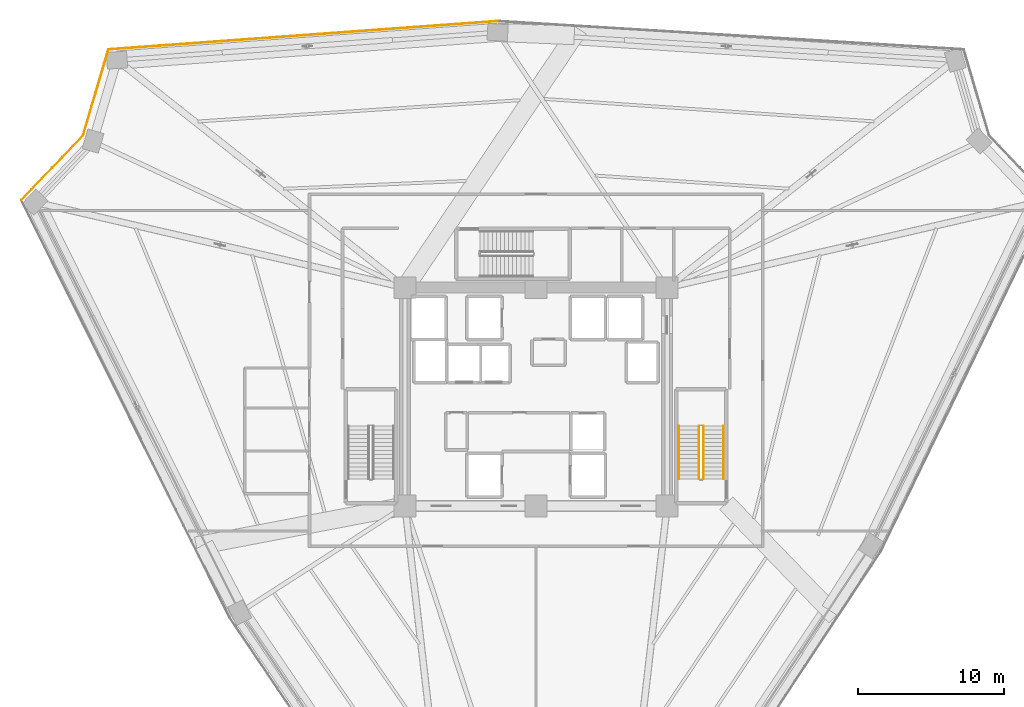
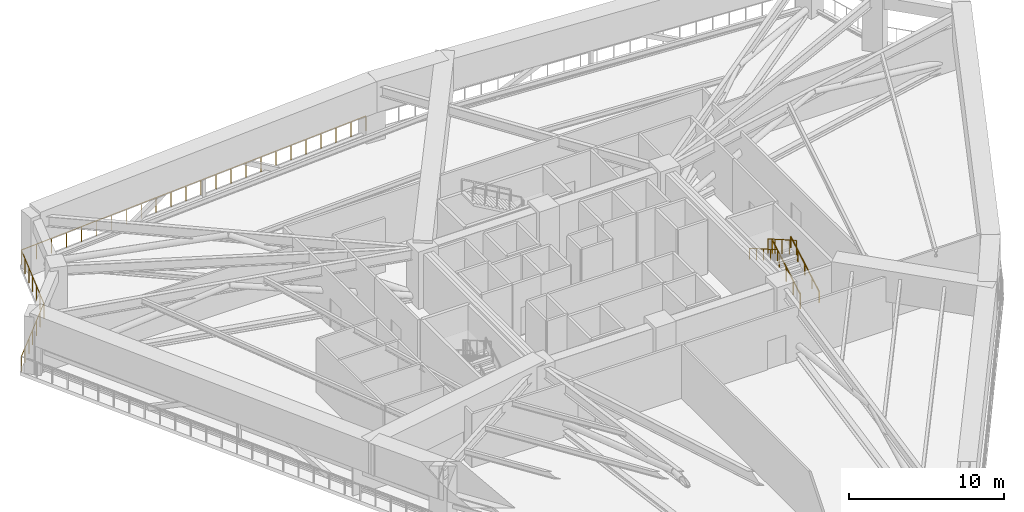
# One storey, part 25 of 27: 7 railings.
"""IFC4 building model written with IfcOpenShell, lengths in metres."""

from ifc_helpers import new_model, si_unit, direction, frame, origin, origin_2d, place, context, subcontext, project, spatial, rectangle, extrude, material, type_object, element, save


model = new_model("IFC4")

# Units and contexts
model_context = context("Model", 3, precision=1e-05, world=origin(), true_north=direction((0.0, 1.0)))
body_context = subcontext(model_context, "Body", "Model", "MODEL_VIEW")
ifc_project = project(units=[si_unit("LENGTHUNIT", "METRE"), si_unit("AREAUNIT", "SQUARE_METRE"), si_unit("VOLUMEUNIT", "CUBIC_METRE"), si_unit("PLANEANGLEUNIT", "RADIAN"), si_unit("MASSUNIT", "GRAM", prefix="KILO")], contexts=[model_context])

# Site, building, storey
site_placement = place(None, origin())
site = spatial("IfcSite", under=ifc_project, at=site_placement, CompositionType="ELEMENT")
building_placement = place(site_placement, origin())
building = spatial("IfcBuilding", under=site, at=building_placement, Name="Liaohun Quay Tower", CompositionType="ELEMENT")
storey_placement = place(building_placement, frame((0.0, 0.0, 185.25)))
storey = spatial("IfcBuildingStorey", under=building, at=storey_placement, Name="L48", CompositionType="ELEMENT", Elevation=185.25)

# Railings
ifc_material_1 = material(Name="Galvanised and powder-coated steel", Category="steel")
railing_type_1 = type_object("IfcRailingType", Name="RLG-GUARD-EXT", PredefinedType="GUARDRAIL", material=ifc_material_1)
railing_1_placement = place(storey_placement, frame((24.64990234375, 67.510009765625, 0.0)))
element("IfcRailing", 1, at=railing_1_placement, inside=storey, type_object=railing_type_1, Name="L48 Open Refuge Band Perimeter Guardrail 03", PredefinedType="GUARDRAIL", context=body_context, shape_type="SweptSolid", body=[
    extrude(rectangle(XDim=0.048095703125, YDim=0.048095703125, at=origin_2d()), frame((0.0, 0.0, 1.17578125), z_axis=(0.689332766491, 0.724444847481, 0.0), x_axis=(-0.724444847481, 0.689332766491, 0.0)), (0.0, 0.0, 1.0), 6.146728515625),
    extrude(rectangle(XDim=0.0419921875, YDim=0.0419921875, at=origin_2d()), origin(), (0.0, 0.0, 1.0), 1.15185546875),
    extrude(rectangle(XDim=0.0419921875, YDim=0.0419921875, at=origin_2d()), frame((0.7060546875, 0.7421875, 0.0)), (0.0, 0.0, 1.0), 1.15185546875),
    extrude(rectangle(XDim=0.0419921875, YDim=0.0419921875, at=origin_2d()), frame((1.412353515625, 1.484375, 0.0)), (0.0, 0.0, 1.0), 1.15185546875),
    extrude(rectangle(XDim=0.0419921875, YDim=0.0419921875, at=origin_2d()), frame((2.11865234375, 2.2265625, 0.0)), (0.0, 0.0, 1.0), 1.15185546875),
    extrude(rectangle(XDim=0.0419921875, YDim=0.0419921875, at=origin_2d()), frame((2.82470703125, 2.968505859375, 0.0)), (0.0, 0.0, 1.0), 1.15185546875),
    extrude(rectangle(XDim=0.0419921875, YDim=0.0419921875, at=origin_2d()), frame((3.53076171875, 3.710693359375, 0.0)), (0.0, 0.0, 1.0), 1.15185546875),
    extrude(rectangle(XDim=0.0419921875, YDim=0.0419921875, at=origin_2d()), frame((4.237060546875, 4.452880859375, 0.0)), (0.0, 0.0, 1.0), 1.15185546875),
])
railing_2_placement = place(storey_placement, frame((28.886962890625, 71.962890625, 0.0)))
element("IfcRailing", 2, at=railing_2_placement, inside=storey, type_object=railing_type_1, Name="L48 Open Refuge Band Perimeter Guardrail 04", PredefinedType="GUARDRAIL", context=body_context, shape_type="SweptSolid", body=[
    extrude(rectangle(XDim=0.048095703125, YDim=0.048095703125, at=origin_2d()), frame((0.0, 0.0, 1.17578125), z_axis=(0.282845602093, 0.959165452556, 0.0), x_axis=(-0.959165452556, 0.282845602093, 0.0)), (0.0, 0.0, 1.0), 6.148193359375),
    extrude(rectangle(XDim=0.0419921875, YDim=0.0419921875, at=origin_2d()), origin(), (0.0, 0.0, 1.0), 1.15185546875),
    extrude(rectangle(XDim=0.0419921875, YDim=0.0419921875, at=origin_2d()), frame((0.289794921875, 0.98291015625, 0.0)), (0.0, 0.0, 1.0), 1.15185546875),
    extrude(rectangle(XDim=0.0419921875, YDim=0.0419921875, at=origin_2d()), frame((0.57958984375, 1.9658203125, 0.0)), (0.0, 0.0, 1.0), 1.15185546875),
    extrude(rectangle(XDim=0.0419921875, YDim=0.0419921875, at=origin_2d()), frame((0.86962890625, 2.94873046875, 0.0)), (0.0, 0.0, 1.0), 1.15185546875),
    extrude(rectangle(XDim=0.0419921875, YDim=0.0419921875, at=origin_2d()), frame((1.159423828125, 3.931396484375, 0.0)), (0.0, 0.0, 1.0), 1.15185546875),
    extrude(rectangle(XDim=0.0419921875, YDim=0.0419921875, at=origin_2d()), frame((1.44921875, 4.914306640625, 0.0)), (0.0, 0.0, 1.0), 1.15185546875),
    extrude(rectangle(XDim=0.0419921875, YDim=0.0419921875, at=origin_2d()), frame((1.739013671875, 5.897216796875, 0.0)), (0.0, 0.0, 1.0), 1.15185546875),
])
railing_3_placement = place(storey_placement, frame((30.6259765625, 77.860107421875, 0.0)))
element("IfcRailing", 3, at=railing_3_placement, inside=storey, type_object=railing_type_1, Name="L48 Open Refuge Band Perimeter Guardrail 05", PredefinedType="GUARDRAIL", context=body_context, shape_type="SweptSolid", body=[
    extrude(rectangle(XDim=0.048095703125, YDim=0.048095703125, at=origin_2d()), frame((0.0, 0.0, 1.17578125), z_axis=(0.997362628137, 0.072579528765, 0.0), x_axis=(-0.072579528765, 0.997362628137, 0.0)), (0.0, 0.0, 1.0), 26.795654296875),
    extrude(rectangle(XDim=0.0419921875, YDim=0.0419921875, at=origin_2d()), origin(), (0.0, 0.0, 1.0), 1.15185546875),
    extrude(rectangle(XDim=0.0419921875, YDim=0.0419921875, at=origin_2d()), frame((1.161865234375, 0.08447265625, 0.0)), (0.0, 0.0, 1.0), 1.15185546875),
    extrude(rectangle(XDim=0.0419921875, YDim=0.0419921875, at=origin_2d()), frame((2.323974609375, 0.169189453125, 0.0)), (0.0, 0.0, 1.0), 1.15185546875),
    extrude(rectangle(XDim=0.0419921875, YDim=0.0419921875, at=origin_2d()), frame((3.48583984375, 0.253662109375, 0.0)), (0.0, 0.0, 1.0), 1.15185546875),
    extrude(rectangle(XDim=0.0419921875, YDim=0.0419921875, at=origin_2d()), frame((4.64794921875, 0.338134765625, 0.0)), (0.0, 0.0, 1.0), 1.15185546875),
    extrude(rectangle(XDim=0.0419921875, YDim=0.0419921875, at=origin_2d()), frame((5.809814453125, 0.4228515625, 0.0)), (0.0, 0.0, 1.0), 1.15185546875),
    extrude(rectangle(XDim=0.0419921875, YDim=0.0419921875, at=origin_2d()), frame((6.9716796875, 0.50732421875, 0.0)), (0.0, 0.0, 1.0), 1.15185546875),
    extrude(rectangle(XDim=0.0419921875, YDim=0.0419921875, at=origin_2d()), frame((8.1337890625, 0.591796875, 0.0)), (0.0, 0.0, 1.0), 1.15185546875),
    extrude(rectangle(XDim=0.0419921875, YDim=0.0419921875, at=origin_2d()), frame((9.295654296875, 0.676513671875, 0.0)), (0.0, 0.0, 1.0), 1.15185546875),
    extrude(rectangle(XDim=0.0419921875, YDim=0.0419921875, at=origin_2d()), frame((10.457763671875, 0.760986328125, 0.0)), (0.0, 0.0, 1.0), 1.15185546875),
    extrude(rectangle(XDim=0.0419921875, YDim=0.0419921875, at=origin_2d()), frame((11.61962890625, 0.845458984375, 0.0)), (0.0, 0.0, 1.0), 1.15185546875),
    extrude(rectangle(XDim=0.0419921875, YDim=0.0419921875, at=origin_2d()), frame((12.781494140625, 0.93017578125, 0.0)), (0.0, 0.0, 1.0), 1.15185546875),
    extrude(rectangle(XDim=0.0419921875, YDim=0.0419921875, at=origin_2d()), frame((13.943603515625, 1.0146484375, 0.0)), (0.0, 0.0, 1.0), 1.15185546875),
    extrude(rectangle(XDim=0.0419921875, YDim=0.0419921875, at=origin_2d()), frame((15.10546875, 1.099365234375, 0.0)), (0.0, 0.0, 1.0), 1.15185546875),
    extrude(rectangle(XDim=0.0419921875, YDim=0.0419921875, at=origin_2d()), frame((16.267333984375, 1.183837890625, 0.0)), (0.0, 0.0, 1.0), 1.15185546875),
    extrude(rectangle(XDim=0.0419921875, YDim=0.0419921875, at=origin_2d()), frame((17.429443359375, 1.268310546875, 0.0)), (0.0, 0.0, 1.0), 1.15185546875),
    extrude(rectangle(XDim=0.0419921875, YDim=0.0419921875, at=origin_2d()), frame((18.59130859375, 1.35302734375, 0.0)), (0.0, 0.0, 1.0), 1.15185546875),
    extrude(rectangle(XDim=0.0419921875, YDim=0.0419921875, at=origin_2d()), frame((19.75341796875, 1.4375, 0.0)), (0.0, 0.0, 1.0), 1.15185546875),
    extrude(rectangle(XDim=0.0419921875, YDim=0.0419921875, at=origin_2d()), frame((20.915283203125, 1.52197265625, 0.0)), (0.0, 0.0, 1.0), 1.15185546875),
    extrude(rectangle(XDim=0.0419921875, YDim=0.0419921875, at=origin_2d()), frame((22.0771484375, 1.606689453125, 0.0)), (0.0, 0.0, 1.0), 1.15185546875),
    extrude(rectangle(XDim=0.0419921875, YDim=0.0419921875, at=origin_2d()), frame((23.2392578125, 1.691162109375, 0.0)), (0.0, 0.0, 1.0), 1.15185546875),
    extrude(rectangle(XDim=0.0419921875, YDim=0.0419921875, at=origin_2d()), frame((24.401123046875, 1.775634765625, 0.0)), (0.0, 0.0, 1.0), 1.15185546875),
    extrude(rectangle(XDim=0.0419921875, YDim=0.0419921875, at=origin_2d()), frame((25.563232421875, 1.8603515625, 0.0)), (0.0, 0.0, 1.0), 1.15185546875),
    extrude(rectangle(XDim=0.0419921875, YDim=0.0419921875, at=origin_2d()), frame((26.72509765625, 1.94482421875, 0.0)), (0.0, 0.0, 1.0), 1.15185546875),
])
ifc_material_2 = material(Name="Painted tubular steel", Category="steel")
railing_type_2 = type_object("IfcRailingType", Name="RLG-GUARD-STR", PredefinedType="GUARDRAIL", material=ifc_material_2)
railing_4_placement = place(storey_placement, frame((71.489990234375, 48.35009765625, 0.16064453125)))
element("IfcRailing", 4, at=railing_4_placement, inside=storey, type_object=railing_type_2, Name="L48 ST-2 stair guard 1", PredefinedType="GUARDRAIL", context=body_context, shape_type="SweptSolid", body=[
    extrude(rectangle(XDim=0.048095703125, YDim=0.048095703125, at=origin_2d()), frame((0.0, 0.0, 1.1259765625), z_axis=(0.0, 0.8672749571, 0.497829437445), x_axis=(-1.0, 0.0, 0.0)), (0.0, 0.0, 1.0), 4.197021484375),
    extrude(rectangle(XDim=0.0419921875, YDim=0.0419921875, at=origin_2d()), origin(), (0.0, 0.0, 1.0), 1.101806640625),
    extrude(rectangle(XDim=0.0419921875, YDim=0.0419921875, at=origin_2d()), frame((0.0, 0.909912109375, 0.5224609375)), (0.0, 0.0, 1.0), 1.101806640625),
    extrude(rectangle(XDim=0.0419921875, YDim=0.0419921875, at=origin_2d()), frame((0.0, 1.81982421875, 1.044677734375)), (0.0, 0.0, 1.0), 1.101806640625),
    extrude(rectangle(XDim=0.0419921875, YDim=0.0419921875, at=origin_2d()), frame((0.0, 2.72998046875, 1.56689453125)), (0.0, 0.0, 1.0), 1.101806640625),
    extrude(rectangle(XDim=0.0419921875, YDim=0.0419921875, at=origin_2d()), frame((0.0, 3.639892578125, 2.08935546875)), (0.0, 0.0, 1.0), 1.101806640625),
])
railing_5_placement = place(storey_placement, frame((71.18994140625, 51.989990234375, 2.41064453125)))
element("IfcRailing", 5, at=railing_5_placement, inside=storey, type_object=railing_type_2, Name="L48 ST-2 stair guard 3", PredefinedType="GUARDRAIL", context=body_context, shape_type="SweptSolid", body=[
    extrude(rectangle(XDim=0.048095703125, YDim=0.048095703125, at=origin_2d()), frame((0.0, 0.0, 1.1259765625), z_axis=(0.0, -0.8672749571, 0.497829437445), x_axis=(1.0, 0.0, 0.0)), (0.0, 0.0, 1.0), 4.197021484375),
    extrude(rectangle(XDim=0.0419921875, YDim=0.0419921875, at=origin_2d()), origin(), (0.0, 0.0, 1.0), 1.101806640625),
    extrude(rectangle(XDim=0.0419921875, YDim=0.0419921875, at=origin_2d()), frame((0.0, -0.909912109375, 0.5224609375)), (0.0, 0.0, 1.0), 1.101806640625),
    extrude(rectangle(XDim=0.0419921875, YDim=0.0419921875, at=origin_2d()), frame((0.0, -1.81982421875, 1.044677734375)), (0.0, 0.0, 1.0), 1.101806640625),
    extrude(rectangle(XDim=0.0419921875, YDim=0.0419921875, at=origin_2d()), frame((0.0, -2.72998046875, 1.56689453125)), (0.0, 0.0, 1.0), 1.101806640625),
    extrude(rectangle(XDim=0.0419921875, YDim=0.0419921875, at=origin_2d()), frame((0.0, -3.639892578125, 2.08935546875)), (0.0, 0.0, 1.0), 1.101806640625),
])
ifc_material_3 = material(Name="Brushed stainless steel", Category="steel")
railing_type_3 = type_object("IfcRailingType", Name="RLG-HND-STR", PredefinedType="HANDRAIL", material=ifc_material_3)
railing_6_placement = place(storey_placement, frame((72.8798828125, 48.35009765625, 0.16064453125)))
element("IfcRailing", 6, at=railing_6_placement, inside=storey, type_object=railing_type_3, Name="L48 ST-2 stair handrail 1", PredefinedType="HANDRAIL", context=body_context, shape_type="SweptSolid", body=[
    extrude(rectangle(XDim=0.048095703125, YDim=0.048095703125, at=origin_2d()), frame((0.0, 0.0, 0.8759765625), z_axis=(0.0, 0.8672749571, 0.497829437445), x_axis=(-1.0, 0.0, 0.0)), (0.0, 0.0, 1.0), 4.197021484375),
    extrude(rectangle(XDim=0.0419921875, YDim=0.0419921875, at=origin_2d()), origin(), (0.0, 0.0, 1.0), 0.851806640625),
    extrude(rectangle(XDim=0.0419921875, YDim=0.0419921875, at=origin_2d()), frame((0.0, 0.909912109375, 0.5224609375)), (0.0, 0.0, 1.0), 0.851806640625),
    extrude(rectangle(XDim=0.0419921875, YDim=0.0419921875, at=origin_2d()), frame((0.0, 1.81982421875, 1.044677734375)), (0.0, 0.0, 1.0), 0.851806640625),
    extrude(rectangle(XDim=0.0419921875, YDim=0.0419921875, at=origin_2d()), frame((0.0, 2.72998046875, 1.56689453125)), (0.0, 0.0, 1.0), 0.851806640625),
    extrude(rectangle(XDim=0.0419921875, YDim=0.0419921875, at=origin_2d()), frame((0.0, 3.639892578125, 2.08935546875)), (0.0, 0.0, 1.0), 0.851806640625),
])
railing_7_placement = place(storey_placement, frame((69.800048828125, 51.989990234375, 2.41064453125)))
element("IfcRailing", 7, at=railing_7_placement, inside=storey, type_object=railing_type_3, Name="L48 ST-2 stair handrail 2", PredefinedType="HANDRAIL", context=body_context, shape_type="SweptSolid", body=[
    extrude(rectangle(XDim=0.048095703125, YDim=0.048095703125, at=origin_2d()), frame((0.0, 0.0, 0.8759765625), z_axis=(0.0, -0.8672749571, 0.497829437445), x_axis=(1.0, 0.0, 0.0)), (0.0, 0.0, 1.0), 4.197021484375),
    extrude(rectangle(XDim=0.0419921875, YDim=0.0419921875, at=origin_2d()), origin(), (0.0, 0.0, 1.0), 0.851806640625),
    extrude(rectangle(XDim=0.0419921875, YDim=0.0419921875, at=origin_2d()), frame((0.0, -0.909912109375, 0.5224609375)), (0.0, 0.0, 1.0), 0.851806640625),
    extrude(rectangle(XDim=0.0419921875, YDim=0.0419921875, at=origin_2d()), frame((0.0, -1.81982421875, 1.044677734375)), (0.0, 0.0, 1.0), 0.851806640625),
    extrude(rectangle(XDim=0.0419921875, YDim=0.0419921875, at=origin_2d()), frame((0.0, -2.72998046875, 1.56689453125)), (0.0, 0.0, 1.0), 0.851806640625),
    extrude(rectangle(XDim=0.0419921875, YDim=0.0419921875, at=origin_2d()), frame((0.0, -3.639892578125, 2.08935546875)), (0.0, 0.0, 1.0), 0.851806640625),
])

save(model, "model.ifc")
